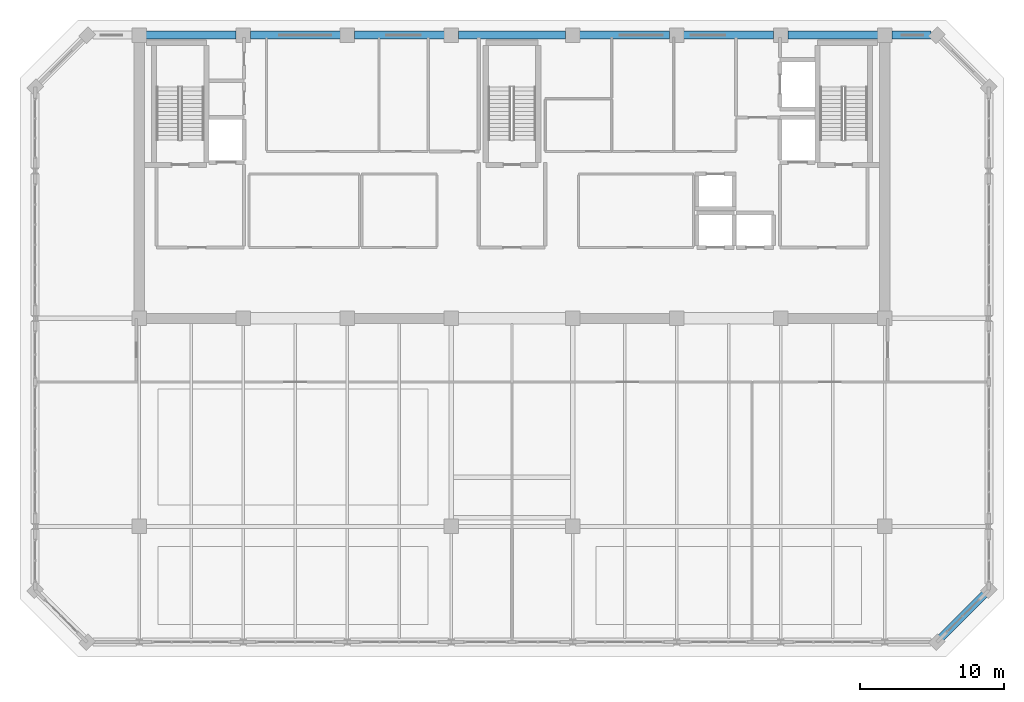
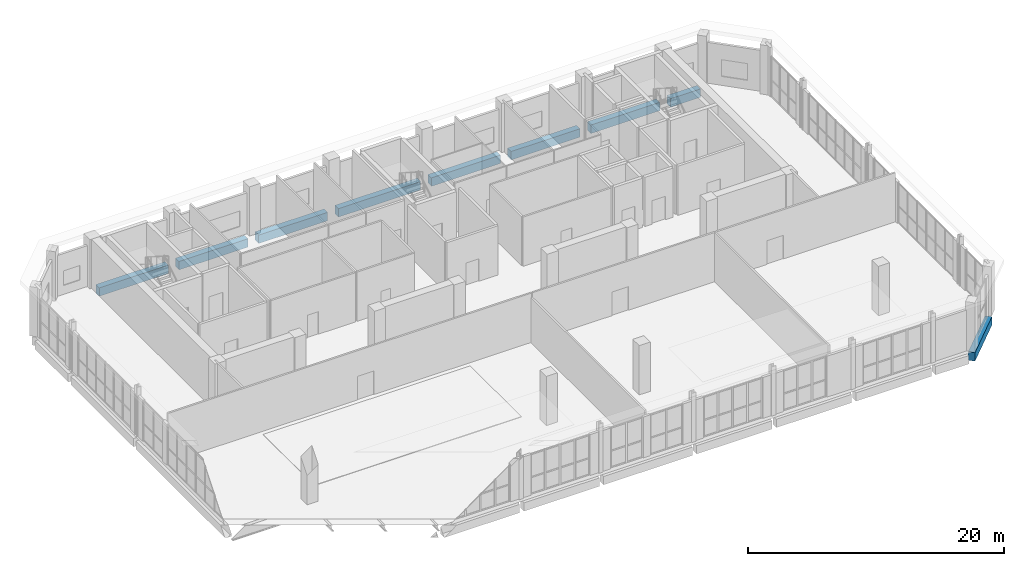
# One storey, part 21 of 36: 9 beams.
"""IFC4 building model written with IfcOpenShell, lengths in metres."""

from ifc_helpers import new_model, si_unit, direction, frame, origin, origin_2d, place, context, subcontext, project, spatial, rectangle, extrude, material, material_profile, profile_set, type_object, element, save


model = new_model("IFC4")

# Units and contexts
model_context = context("Model", 3, precision=1e-05, world=origin(), true_north=direction((0.0, 1.0)))
body_context = subcontext(model_context, "Body", "Model", "MODEL_VIEW")
ifc_project = project(units=[si_unit("LENGTHUNIT", "METRE"), si_unit("AREAUNIT", "SQUARE_METRE"), si_unit("VOLUMEUNIT", "CUBIC_METRE"), si_unit("PLANEANGLEUNIT", "RADIAN"), si_unit("MASSUNIT", "GRAM", prefix="KILO")], contexts=[model_context])

# Site, building, storey
site_placement = place(None, origin())
site = spatial("IfcSite", under=ifc_project, at=site_placement, CompositionType="ELEMENT")
building_placement = place(site_placement, origin())
building = spatial("IfcBuilding", under=site, at=building_placement, Name="Kaelvorn Grand Hotel", CompositionType="ELEMENT")
storey_placement = place(building_placement, frame((0.0, 0.0, 305.699951171875)))
storey = spatial("IfcBuildingStorey", under=building, at=storey_placement, Name="L74", CompositionType="ELEMENT", Elevation=305.699951171875)

# Beams
ifc_material = material(Name="Concrete C50/60", Category="concrete")
ifc_material_profile = material_profile(ifc_material, rectangle(XDim=0.550048828125, YDim=0.800048828125, at=origin_2d()), Name="RC SPANDREL 550x800")
ifc_profile_set = profile_set([ifc_material_profile], Name="Concrete C50/60")
beam_type = type_object("IfcBeamType", Name="BM-SP-550x800-C50", PredefinedType="SPANDREL", material=ifc_profile_set)
for number, where, z_axis, x_axis, name in (
    (1, (16.68505859375, 49.0, -0.780029296875), (1.0, 0.0, 0.0), (0.0, 1.0, 0.0), "L74 North Perimeter Spandrel 02"),
    (2, (23.885009765625, 49.0, -0.780029296875), (1.0, 0.0, 0.0), (0.0, 1.0, 0.0), "L74 North Perimeter Spandrel 03"),
    (3, (31.0849609375, 49.0, -0.780029296875), (1.0, 0.0, 0.0), (0.0, 1.0, 0.0), "L74 North Perimeter Spandrel 04"),
):
    element("IfcBeam", number, at=place(storey_placement, frame(where, z_axis=z_axis, x_axis=x_axis)), inside=storey, type_object=beam_type, Name=name, PredefinedType="SPANDREL", context=body_context, shape_type="SweptSolid", body=[
        extrude(rectangle(XDim=0.550048828125, YDim=0.800048828125, at=origin_2d()), origin(), (0.0, 0.0, 1.0), 6.22998046875),
    ])
beam_1_placement = place(storey_placement, frame((38.284912109375, 49.0, -0.780029296875), z_axis=(1.0, 0.0, 0.0), x_axis=(0.0, 1.0, 0.0)))
element("IfcBeam", 4, at=beam_1_placement, inside=storey, type_object=beam_type, Name="L74 North Perimeter Spandrel 05", PredefinedType="SPANDREL", context=body_context, shape_type="SweptSolid", body=[
    extrude(rectangle(XDim=0.550048828125, YDim=0.800048828125, at=origin_2d()), origin(), (0.0, 0.0, 1.0), 7.43017578125),
])
for number, where, z_axis, x_axis, name in (
    (5, (46.68505859375, 49.0, -0.780029296875), (1.0, 0.0, 0.0), (0.0, 1.0, 0.0), "L74 North Perimeter Spandrel 06"),
    (6, (53.885009765625, 49.0, -0.780029296875), (1.0, 0.0, 0.0), (0.0, 1.0, 0.0), "L74 North Perimeter Spandrel 07"),
    (7, (61.0849609375, 49.0, -0.780029296875), (1.0, 0.0, 0.0), (0.0, 1.0, 0.0), "L74 North Perimeter Spandrel 08"),
):
    element("IfcBeam", number, at=place(storey_placement, frame(where, z_axis=z_axis, x_axis=x_axis)), inside=storey, type_object=beam_type, Name=name, PredefinedType="SPANDREL", context=body_context, shape_type="SweptSolid", body=[
        extrude(rectangle(XDim=0.550048828125, YDim=0.800048828125, at=origin_2d()), origin(), (0.0, 0.0, 1.0), 6.22998046875),
    ])
beam_2_placement = place(storey_placement, frame((68.284912109375, 49.0, -0.780029296875), z_axis=(1.0, 0.0, 0.0), x_axis=(0.0, 1.0, 0.0)))
element("IfcBeam", 8, at=beam_2_placement, inside=storey, type_object=beam_type, Name="L74 North Perimeter Spandrel 09", PredefinedType="SPANDREL", context=body_context, shape_type="SweptSolid", body=[
    extrude(rectangle(XDim=0.550048828125, YDim=0.800048828125, at=origin_2d()), origin(), (0.0, 0.0, 1.0), 2.710205078125),
])
beam_3_placement = place(storey_placement, frame((71.39990234375, 7.0, -0.780029296875), z_axis=(0.707106781187, 0.707106781187, 0.0), x_axis=(-0.707106781187, 0.707106781187, 0.0)))
element("IfcBeam", 9, at=beam_3_placement, inside=storey, type_object=beam_type, Name="L74 Chamfer Spandrel Beam 1", PredefinedType="SPANDREL", context=body_context, shape_type="SweptSolid", body=[
    extrude(rectangle(XDim=0.550048828125, YDim=0.800048828125, at=origin_2d()), origin(), (0.0, 0.0, 1.0), 5.09130859375),
])

save(model, "model.ifc")
